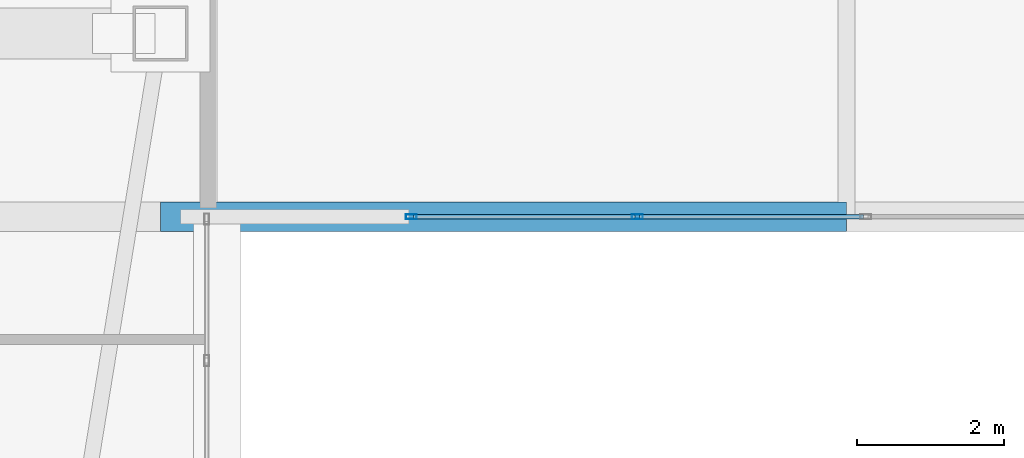
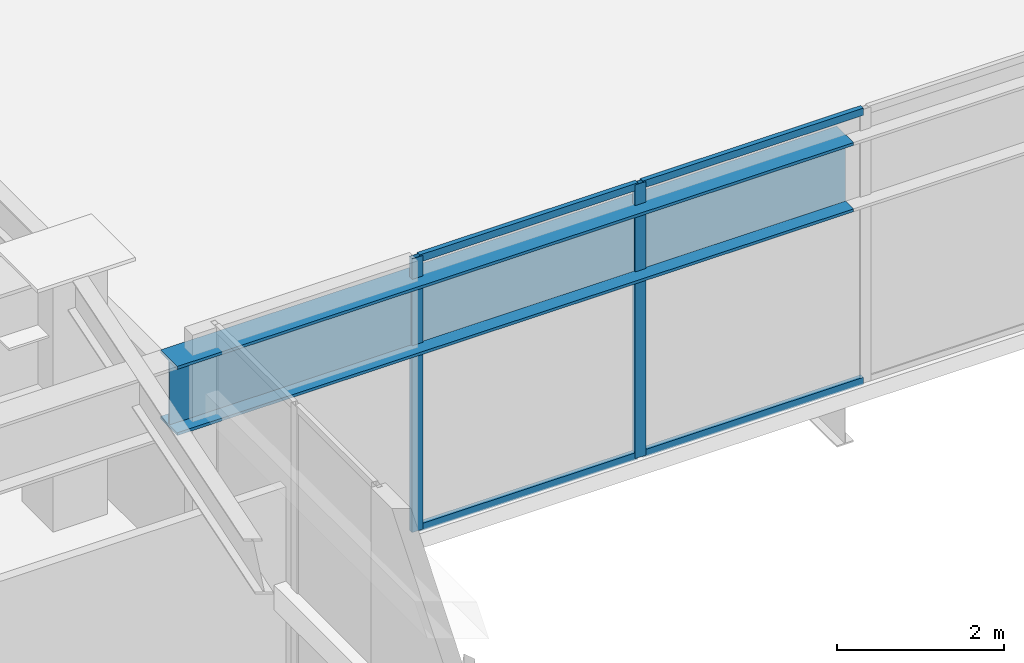
# One storey, part 13 of 51: 6 members, 1 beam, 1 element without a shape of its own.
"""IFC4 building model written with IfcOpenShell, lengths in metres."""

from ifc_helpers import new_model, si_unit, direction, frame, origin, origin_2d, place, context, subcontext, project, spatial, hollow_rectangle, i_section, extrude, material, material_profile, profile_set, type_object, element, aggregate, save


model = new_model("IFC4")

# Units and contexts
model_context = context("Model", 3, precision=1e-05, world=origin(), true_north=direction((0.0, 1.0)))
body_context = subcontext(model_context, "Body", "Model", "MODEL_VIEW")
ifc_project = project(units=[si_unit("LENGTHUNIT", "METRE"), si_unit("AREAUNIT", "SQUARE_METRE"), si_unit("VOLUMEUNIT", "CUBIC_METRE"), si_unit("PLANEANGLEUNIT", "RADIAN"), si_unit("MASSUNIT", "GRAM", prefix="KILO")], contexts=[model_context])

# Site, building, storey
site_placement = place(None, origin())
site = spatial("IfcSite", under=ifc_project, at=site_placement, CompositionType="ELEMENT")
building_placement = place(site_placement, origin())
building = spatial("IfcBuilding", under=site, at=building_placement, Name="Tashvorn Skyway Center", CompositionType="ELEMENT")
storey_placement = place(building_placement, frame((0.0, 0.0, 259.39990234375)))
storey = spatial("IfcBuildingStorey", under=building, at=storey_placement, Name="L70", CompositionType="ELEMENT", Elevation=259.39990234375)

# Beam
ifc_material_1 = material(Name="Steel ASTM A913 Grade 65", Category="steel")
ifc_material_profile_1 = material_profile(ifc_material_1, i_section(OverallWidth=0.40087890625, OverallDepth=1.010986328125, WebThickness=0.023681640625, FlangeThickness=0.0419921875, at=origin_2d()), Name="W40X297")
ifc_profile_set_1 = profile_set([ifc_material_profile_1], Name="Steel ASTM A913 Grade 65")
beam_type = type_object("IfcBeamType", Name="BM-BEAM-W40X297", PredefinedType="BEAM", material=ifc_profile_set_1)
beam_placement = place(storey_placement, frame((57.050048828125, 24.10009765625, 3.194580078125), z_axis=(1.0, 0.0, 0.0), x_axis=(0.0, 1.0, 0.0)))
element("IfcBeam", 1, at=beam_placement, inside=storey, type_object=beam_type, Name="Sky-Park Truss 1 Top Chord Panel 06", PredefinedType="BEAM", context=body_context, shape_type="SweptSolid", body=[
    extrude(i_section(OverallWidth=0.40087890625, OverallDepth=1.010986328125, WebThickness=0.023681640625, FlangeThickness=0.0419921875, at=origin_2d()), origin(), (0.0, 0.0, 1.0), 9.349853515625),
])

# Curtain wall, members
ifc_material_2 = material(Name="Thermally broken bronze-anodized aluminium 6063-T6", Category="aluminium")
curtain_wall_type = type_object("IfcCurtainWallType", Name="CW-CW-SKY", PredefinedType="NOTDEFINED", material=ifc_material_2)
curtain_wall_placement = place(storey_placement, origin())
curtain_wall = element("IfcCurtainWall", 2, at=curtain_wall_placement, inside=storey, type_object=curtain_wall_type, Name="Sky-Park L70 Bridge South Curtain Wall Glazing Group 2", PredefinedType="NOTDEFINED")
ifc_material_profile_2 = material_profile(ifc_material_2, hollow_rectangle(XDim=0.06494140625, YDim=0.14990234375, WallThickness=0.00390625, at=origin_2d()), Name="ALU-MULL-65x150")
ifc_profile_set_2 = profile_set([ifc_material_profile_2], Name="Thermally broken bronze-anodized aluminium 6063-T6")
member_type_1 = type_object("IfcMemberType", Name="CWM-CW-SKY", PredefinedType="MULLION", material=ifc_profile_set_2)
member_1_placement = place(storey_placement, frame((63.550048828125, 24.10009765625, 0.0), z_axis=(0.0, 0.0, 1.0), x_axis=(0.0, -1.0, 0.0)))
member_1 = element("IfcMember", 3, at=member_1_placement, type_object=member_type_1, Name="CW-SKY mullion 4", PredefinedType="MULLION", context=body_context, shape_type="SweptSolid", body=[
    extrude(hollow_rectangle(XDim=0.06494140625, YDim=0.14990234375, WallThickness=0.00390625, at=origin_2d()), origin(), (0.0, 0.0, 1.0), 4.0),
])
member_2_placement = place(storey_placement, frame((60.467529296875, 24.10009765625, 0.0), z_axis=(0.0, 0.0, 1.0), x_axis=(0.0, -1.0, 0.0)))
member_2 = element("IfcMember", 4, at=member_2_placement, type_object=member_type_1, Name="CW-SKY mullion 5", PredefinedType="MULLION", context=body_context, shape_type="SweptSolid", body=[
    extrude(hollow_rectangle(XDim=0.06494140625, YDim=0.14990234375, WallThickness=0.00390625, at=origin_2d()), origin(), (0.0, 0.0, 1.0), 4.0),
])
ifc_material_profile_3 = material_profile(ifc_material_2, hollow_rectangle(XDim=0.06494140625, YDim=0.10498046875, WallThickness=0.00390625, at=origin_2d()), Name="ALU-TRAN-65x105")
ifc_profile_set_3 = profile_set([ifc_material_profile_3], Name="Thermally broken bronze-anodized aluminium 6063-T6")
member_type_2 = type_object("IfcMemberType", Name="CWT-CW-SKY", PredefinedType="USERDEFINED", material=ifc_profile_set_3)
member_3_placement = place(storey_placement, frame((66.632568359375, 24.10009765625, 0.03271484375), z_axis=(-1.0, 0.0, 0.0), x_axis=(0.0, -1.0, 0.0)))
member_3 = element("IfcMember", 5, at=member_3_placement, type_object=member_type_2, Name="CW-SKY transom 3.1", ObjectType="TRANSOM", PredefinedType="USERDEFINED", context=body_context, shape_type="SweptSolid", body=[
    extrude(hollow_rectangle(XDim=0.06494140625, YDim=0.10498046875, WallThickness=0.00390625, at=origin_2d()), origin(), (0.0, 0.0, 1.0), 3.050048828125),
])
member_4_placement = place(storey_placement, frame((66.632568359375, 24.10009765625, 3.967529296875), z_axis=(-1.0, 0.0, 0.0), x_axis=(0.0, -1.0, 0.0)))
member_4 = element("IfcMember", 6, at=member_4_placement, type_object=member_type_2, Name="CW-SKY transom 3.2", ObjectType="TRANSOM", PredefinedType="USERDEFINED", context=body_context, shape_type="SweptSolid", body=[
    extrude(hollow_rectangle(XDim=0.06494140625, YDim=0.10498046875, WallThickness=0.00390625, at=origin_2d()), origin(), (0.0, 0.0, 1.0), 3.050048828125),
])
member_5_placement = place(storey_placement, frame((63.517578125, 24.10009765625, 0.03271484375), z_axis=(-1.0, 0.0, 0.0), x_axis=(0.0, -1.0, 0.0)))
member_5 = element("IfcMember", 7, at=member_5_placement, type_object=member_type_2, Name="CW-SKY transom 4.1", ObjectType="TRANSOM", PredefinedType="USERDEFINED", context=body_context, shape_type="SweptSolid", body=[
    extrude(hollow_rectangle(XDim=0.06494140625, YDim=0.10498046875, WallThickness=0.00390625, at=origin_2d()), origin(), (0.0, 0.0, 1.0), 3.017578125),
])
member_6_placement = place(storey_placement, frame((63.517578125, 24.10009765625, 3.967529296875), z_axis=(-1.0, 0.0, 0.0), x_axis=(0.0, -1.0, 0.0)))
member_6 = element("IfcMember", 8, at=member_6_placement, type_object=member_type_2, Name="CW-SKY transom 4.2", ObjectType="TRANSOM", PredefinedType="USERDEFINED", context=body_context, shape_type="SweptSolid", body=[
    extrude(hollow_rectangle(XDim=0.06494140625, YDim=0.10498046875, WallThickness=0.00390625, at=origin_2d()), origin(), (0.0, 0.0, 1.0), 3.017578125),
])
aggregate(curtain_wall, [member_1, member_2, member_3, member_4, member_5, member_6])

save(model, "model.ifc")
